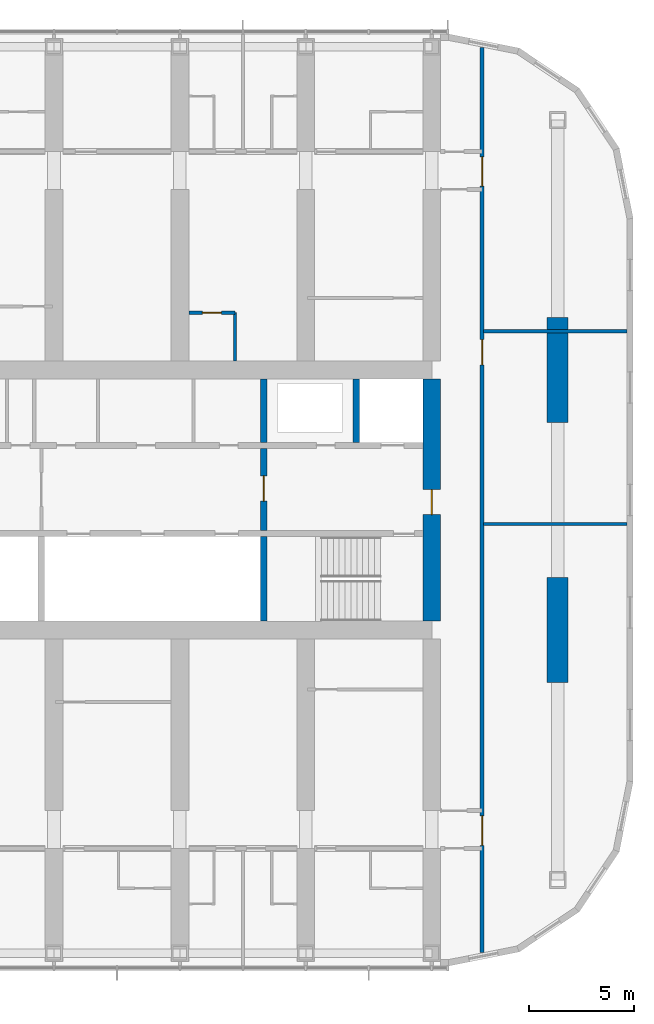
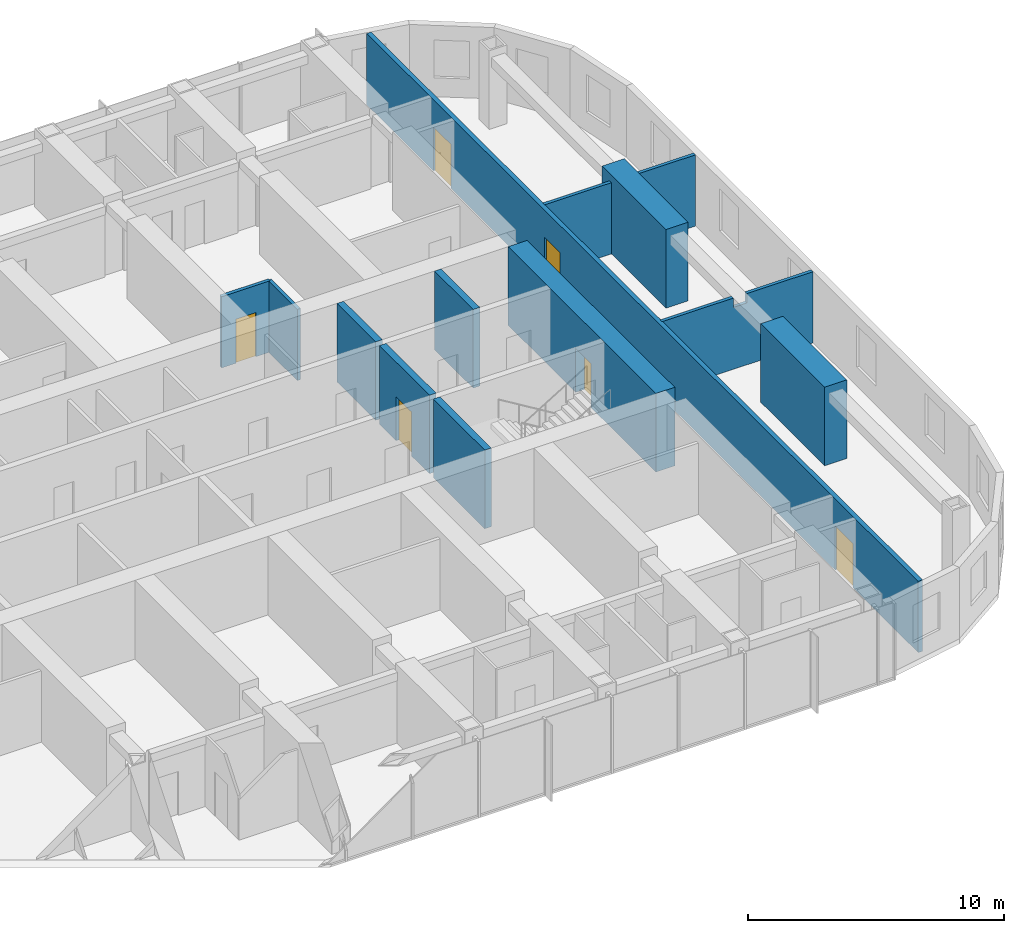
# One storey, part 14 of 22: 12 walls, 6 doors, 6 openings.
"""IFC4 building model written with IfcOpenShell, lengths in metres."""

from ifc_helpers import new_model, si_unit, direction, frame, frame_2d, origin, place, context, subcontext, project, spatial, polyline, rectangle, outline, extrude, material, layer, layer_set, type_object, element, fill, save


model = new_model("IFC4")

# Units and contexts
model_context = context("Model", 3, precision=1e-05, world=origin(), true_north=direction((0.0, 1.0)))
body_context = subcontext(model_context, "Body", "Model", "MODEL_VIEW")
ifc_project = project(units=[si_unit("LENGTHUNIT", "METRE"), si_unit("AREAUNIT", "SQUARE_METRE"), si_unit("VOLUMEUNIT", "CUBIC_METRE"), si_unit("PLANEANGLEUNIT", "RADIAN"), si_unit("MASSUNIT", "GRAM", prefix="KILO")], contexts=[model_context])

# Site, building, storey
site_placement = place(None, origin())
site = spatial("IfcSite", under=ifc_project, at=site_placement, CompositionType="ELEMENT")
building_placement = place(site_placement, origin())
building = spatial("IfcBuilding", under=site, at=building_placement, Name="Orbita Commons", CompositionType="ELEMENT")
storey_placement = place(building_placement, frame((0.0, 0.0, 197.35009765625)))
storey = spatial("IfcBuildingStorey", under=building, at=storey_placement, Name="L49", CompositionType="ELEMENT", Elevation=197.35009765625)

# Wall
ifc_material_1 = material(Name="Concrete C50/60", Category="concrete")
ifc_layer_1 = layer(ifc_material_1, 0.300048828125)
ifc_layer_set_1 = layer_set([ifc_layer_1], Name="Concrete C50/60")
wall_type_1 = type_object("IfcWallType", Name="Core inner wall 300 C50/60", PredefinedType="SHEAR", material=ifc_layer_set_1)
wall_1_placement = place(storey_placement, frame((58.0, 26.22509765625, 0.0), z_axis=(0.0, 0.0, 1.0), x_axis=(0.0, 1.0, 0.0)))
element("IfcWall", 1, at=wall_1_placement, inside=storey, type_object=wall_type_1, Name="Stair S2 wall L49", PredefinedType="SHEAR", context=body_context, shape_type="SweptSolid", body=[
    extrude(rectangle(XDim=4.02490234375, YDim=0.300048828125, at=frame_2d((2.012451171875, 0.0))), origin(), (0.0, 0.0, 1.0), 3.75),
])

# Wall, opening, door
wall_2_placement = place(storey_placement, frame((58.0, 30.550048828125, 0.0), z_axis=(0.0, 0.0, 1.0), x_axis=(0.0, 1.0, 0.0)))
wall_2 = element("IfcWall", 2, at=wall_2_placement, inside=storey, type_object=wall_type_1, Name="Firefighting lobby wall east L49", PredefinedType="SHEAR", context=body_context, shape_type="SweptSolid", body=[
    extrude(rectangle(XDim=3.89990234375, YDim=0.300048828125, at=frame_2d((1.949951171875, 0.0))), origin(), (0.0, 0.0, 1.0), 3.75),
])
opening_1_placement = place(wall_2_placement, frame((1.39990234375, 0.0, 0.0)))
opening_1 = element("IfcOpeningElement", 3, at=opening_1_placement, cuts=wall_2, Name="Opening D04", PredefinedType="OPENING", context=body_context, shape_type="SweptSolid", body=[
    extrude(rectangle(XDim=1.199951171875, YDim=2.10009765625, at=frame_2d((0.60009765625, 1.050048828125))), frame((0.0, 0.159912109375, 0.0), z_axis=(0.0, -1.0, 0.0), x_axis=(1.0, 0.0, 0.0)), (0.0, 0.0, 1.0), 0.320068359375),
])
ifc_material_2 = material(Name="Steel-faced fire door leaf", Category="steel")
door_type_1 = type_object("IfcDoorType", Name="Service door 20 min 1200x2100", OperationType="SINGLE_SWING_LEFT", PredefinedType="DOOR", material=ifc_material_2)
door_1_placement = place(opening_1_placement, origin())
door_1 = element("IfcDoor", 4, at=door_1_placement, inside=storey, type_object=door_type_1, Name="Lift lobby door east", OperationType="SINGLE_SWING_LEFT", OverallHeight=2.10009765625, OverallWidth=1.199951171875, PredefinedType="DOOR", context=body_context, shape_type="SweptSolid", body=[
    extrude(rectangle(XDim=1.199951171875, YDim=2.10009765625, at=frame_2d((0.60009765625, 1.050048828125))), frame((0.0, 0.02490234375, 0.0), z_axis=(0.0, -1.0, 0.0), x_axis=(1.0, 0.0, 0.0)), (0.0, 0.0, 1.0), 0.050048828125),
])
fill(opening_1, door_1)

# Walls
for number, where, z_axis, x_axis, name in (
    (5, (62.39990234375, 34.75, 0.0), (0.0, 0.0, 1.0), (0.0, 1.0, 0.0), "Firefighting lift FL2 shaft wall L49"),
    (6, (58.0, 34.75, 0.0), (0.0, 0.0, 1.0), (0.0, 1.0, 0.0), "Riser wall east L49"),
):
    element("IfcWall", number, at=place(storey_placement, frame(where, z_axis=z_axis, x_axis=x_axis)), inside=storey, type_object=wall_type_1, Name=name, PredefinedType="SHEAR", context=body_context, shape_type="SweptSolid", body=[
        extrude(rectangle(XDim=3.02490234375, YDim=0.300048828125, at=frame_2d((1.512451171875, 0.0))), origin(), (0.0, 0.0, 1.0), 3.75),
    ])

# Wall, opening, door
ifc_material_3 = material(Name="Concrete C50/60", Category="concrete")
ifc_layer_2 = layer(ifc_material_3, 0.85009765625)
ifc_layer_set_2 = layer_set([ifc_layer_2], Name="Concrete C50/60")
wall_type_2 = type_object("IfcWallType", Name="Core wall 850 C50/60", PredefinedType="SHEAR", material=ifc_layer_set_2)
wall_3_placement = place(storey_placement, frame((66.0, 26.22509765625, 0.0), z_axis=(0.0, 0.0, 1.0), x_axis=(0.0, 1.0, 0.0)))
wall_3 = element("IfcWall", 7, at=wall_3_placement, inside=storey, type_object=wall_type_2, Name="Core end wall east L49", PredefinedType="SHEAR", context=body_context, shape_type="SweptSolid", body=[
    extrude(rectangle(XDim=11.5498046875, YDim=0.85009765625, at=frame_2d((5.77490234375, 0.0))), origin(), (0.0, 0.0, 1.0), 3.75),
])
opening_2_placement = place(wall_3_placement, frame((5.074951171875, 0.0, 0.0)))
opening_2 = element("IfcOpeningElement", 8, at=opening_2_placement, cuts=wall_3, Name="Opening D01", PredefinedType="OPENING", context=body_context, shape_type="SweptSolid", body=[
    extrude(rectangle(XDim=1.199951171875, YDim=2.10009765625, at=frame_2d((0.60009765625, 1.050048828125))), frame((0.0, 0.43505859375, 0.0), z_axis=(0.0, -1.0, 0.0), x_axis=(1.0, 0.0, 0.0)), (0.0, 0.0, 1.0), 0.8701171875),
])
ifc_material_4 = material(Name="Steel-faced fire door leaf", Category="steel")
door_type_2 = type_object("IfcDoorType", Name="Fire door 90 min 1200x2100", OperationType="SINGLE_SWING_LEFT", PredefinedType="DOOR", material=ifc_material_4)
door_2_placement = place(opening_2_placement, origin())
door_2 = element("IfcDoor", 9, at=door_2_placement, inside=storey, type_object=door_type_2, Name="Firefighting lobby east door", OperationType="SINGLE_SWING_LEFT", OverallHeight=2.10009765625, OverallWidth=1.199951171875, PredefinedType="DOOR", context=body_context, shape_type="SweptSolid", body=[
    extrude(rectangle(XDim=1.199951171875, YDim=2.10009765625, at=frame_2d((0.60009765625, 1.050048828125))), frame((0.0, 0.02490234375, 0.0), z_axis=(0.0, -1.0, 0.0), x_axis=(1.0, 0.0, 0.0)), (0.0, 0.0, 1.0), 0.050048828125),
])
fill(opening_2, door_2)

# Wall, openings, doors
ifc_material_5 = material(Name="Concrete blockwork", Category="masonry")
ifc_layer_3 = layer(ifc_material_5, 0.199951171875)
ifc_layer_set_3 = layer_set([ifc_layer_3], Name="Concrete blockwork")
wall_type_3 = type_object("IfcWallType", Name="Corridor wall 200 blockwork", PredefinedType="SOLIDWALL", material=ifc_layer_set_3)
wall_4_placement = place(storey_placement, frame((68.39990234375, 10.4462890625, 0.0), z_axis=(0.0, 0.0, 1.0), x_axis=(0.0, 1.0, 0.0)))
wall_4 = element("IfcWall", 10, at=wall_4_placement, inside=storey, type_object=wall_type_3, Name="Corridor wall 200 blockwork L49", PredefinedType="SOLIDWALL", context=body_context, shape_type="SweptSolid", body=[
    extrude(rectangle(XDim=43.107421875, YDim=0.199951171875, at=frame_2d((21.5537109375, 0.0))), origin(), (0.0, 0.0, 1.0), 3.39990234375),
])
opening_3_placement = place(wall_4_placement, frame((27.993896484375, 0.0, 0.0)))
opening_3 = element("IfcOpeningElement", 11, at=opening_3_placement, cuts=wall_4, Name="Opening D15", PredefinedType="OPENING", context=body_context, shape_type="SweptSolid", body=[
    extrude(rectangle(XDim=1.199951171875, YDim=2.10009765625, at=frame_2d((0.60009765625, 1.050048828125))), frame((0.0, 0.10986328125, 0.0), z_axis=(0.0, -1.0, 0.0), x_axis=(1.0, 0.0, 0.0)), (0.0, 0.0, 1.0), 0.219970703125),
])
opening_4_placement = place(wall_4_placement, frame((5.103759765625, 0.0, 0.0)))
opening_4 = element("IfcOpeningElement", 12, at=opening_4_placement, cuts=wall_4, Name="Opening D08", PredefinedType="OPENING", context=body_context, shape_type="SweptSolid", body=[
    extrude(rectangle(XDim=1.39990234375, YDim=2.10009765625, at=frame_2d((0.699951171875, 1.050048828125))), frame((0.0, 0.10986328125, 0.0), z_axis=(0.0, -1.0, 0.0), x_axis=(1.0, 0.0, 0.0)), (0.0, 0.0, 1.0), 0.219970703125),
])
opening_5_placement = place(wall_4_placement, frame((36.50390625, 0.0, 0.0)))
opening_5 = element("IfcOpeningElement", 13, at=opening_5_placement, cuts=wall_4, Name="Opening D08", PredefinedType="OPENING", context=body_context, shape_type="SweptSolid", body=[
    extrude(rectangle(XDim=1.39990234375, YDim=2.10009765625, at=frame_2d((0.699951171875, 1.050048828125))), frame((0.0, 0.10986328125, 0.0), z_axis=(0.0, -1.0, 0.0), x_axis=(1.0, 0.0, 0.0)), (0.0, 0.0, 1.0), 0.219970703125),
])
ifc_material_6 = material(Name="Steel-faced fire door leaf", Category="steel")
door_type_3 = type_object("IfcDoorType", Name="Corridor door 20 min 1200x2100", OperationType="SINGLE_SWING_LEFT", PredefinedType="DOOR", material=ifc_material_6)
door_3_placement = place(opening_3_placement, origin())
door_3 = element("IfcDoor", 14, at=door_3_placement, inside=storey, type_object=door_type_3, Name="Study hall door", OperationType="SINGLE_SWING_LEFT", OverallHeight=2.10009765625, OverallWidth=1.199951171875, PredefinedType="DOOR", context=body_context, shape_type="SweptSolid", body=[
    extrude(rectangle(XDim=1.199951171875, YDim=2.10009765625, at=frame_2d((0.60009765625, 1.050048828125))), frame((0.0, 0.02490234375, 0.0), z_axis=(0.0, -1.0, 0.0), x_axis=(1.0, 0.0, 0.0)), (0.0, 0.0, 1.0), 0.050048828125),
])
fill(opening_3, door_3)
ifc_material_7 = material(Name="Steel-faced fire door leaf", Category="steel")
door_type_4 = type_object("IfcDoorType", Name="Double corridor door 20 min 1400x2100", OperationType="DOUBLE_DOOR_SINGLE_SWING", PredefinedType="DOOR", material=ifc_material_7)
door_4_placement = place(opening_4_placement, origin())
door_4 = element("IfcDoor", 15, at=door_4_placement, inside=storey, type_object=door_type_4, Name="Lounge doors", OperationType="DOUBLE_DOOR_SINGLE_SWING", OverallHeight=2.10009765625, OverallWidth=1.39990234375, PredefinedType="DOOR", context=body_context, shape_type="SweptSolid", body=[
    extrude(rectangle(XDim=1.39990234375, YDim=2.10009765625, at=frame_2d((0.699951171875, 1.050048828125))), frame((0.0, 0.02490234375, 0.0), z_axis=(0.0, -1.0, 0.0), x_axis=(1.0, 0.0, 0.0)), (0.0, 0.0, 1.0), 0.050048828125),
])
fill(opening_4, door_4)
door_5_placement = place(opening_5_placement, origin())
door_5 = element("IfcDoor", 16, at=door_5_placement, inside=storey, type_object=door_type_4, Name="Lounge doors", OperationType="DOUBLE_DOOR_SINGLE_SWING", OverallHeight=2.10009765625, OverallWidth=1.39990234375, PredefinedType="DOOR", context=body_context, shape_type="SweptSolid", body=[
    extrude(rectangle(XDim=1.39990234375, YDim=2.10009765625, at=frame_2d((0.699951171875, 1.050048828125))), frame((0.0, 0.02490234375, 0.0), z_axis=(0.0, -1.0, 0.0), x_axis=(1.0, 0.0, 0.0)), (0.0, 0.0, 1.0), 0.050048828125),
])
fill(opening_5, door_5)

# Walls
ifc_material_8 = material(Name="Concrete C50/60", Category="concrete")
ifc_layer_4 = layer(ifc_material_8, 1.0)
ifc_layer_set_4 = layer_set([ifc_layer_4], Name="Concrete C50/60")
wall_type_4 = type_object("IfcWallType", Name="End pier 1000x5000 C50/60", PredefinedType="SHEAR", material=ifc_layer_set_4)
for number, where, z_axis, x_axis, name in (
    (17, (72.0, 23.300048828125, 0.0), (0.0, 0.0, 1.0), (0.0, 1.0, 0.0), "End pier 13/C L49"),
    (18, (72.0, 35.699951171875, 0.0), (0.0, 0.0, 1.0), (0.0, 1.0, 0.0), "End pier 13/D L49"),
):
    element("IfcWall", number, at=place(storey_placement, frame(where, z_axis=z_axis, x_axis=x_axis)), inside=storey, type_object=wall_type_4, Name=name, PredefinedType="SHEAR", context=body_context, shape_type="SweptSolid", body=[
        extrude(rectangle(XDim=5.0, YDim=1.0, at=frame_2d((2.5, 0.0))), origin(), (0.0, 0.0, 1.0), 3.75),
    ])
ifc_material_9 = material(Name="Gypsum plasterboard on steel studs", Category="steel")
ifc_layer_5 = layer(ifc_material_9, 0.14990234375)
ifc_layer_set_5 = layer_set([ifc_layer_5], Name="Gypsum plasterboard on steel studs")
wall_type_5 = type_object("IfcWallType", Name="Partition 150 plasterboard", PredefinedType="PARTITIONING", material=ifc_layer_set_5)
wall_5_placement = place(storey_placement, frame((56.625, 40.925048828125, 0.0), z_axis=(0.0, 0.0, 1.0), x_axis=(0.0, -1.0, 0.0)))
element("IfcWall", 19, at=wall_5_placement, inside=storey, type_object=wall_type_5, Name="Partition 150 plasterboard L49", PredefinedType="PARTITIONING", context=body_context, shape_type="SweptSolid", body=[
    extrude(rectangle(XDim=2.300048828125, YDim=0.14990234375, at=frame_2d((1.14990234375, 0.0))), origin(), (0.0, 0.0, 1.0), 3.39990234375),
])

# Wall, opening, door
wall_6_placement = place(storey_placement, frame((56.625, 40.925048828125, 0.0), z_axis=(0.0, 0.0, 1.0), x_axis=(-1.0, 0.0, 0.0)))
wall_6 = element("IfcWall", 20, at=wall_6_placement, inside=storey, type_object=wall_type_5, Name="Partition 150 plasterboard L49", PredefinedType="PARTITIONING", context=body_context, shape_type="SweptSolid", body=[
    extrude(rectangle(XDim=2.199951171875, YDim=0.14990234375, at=frame_2d((1.10009765625, 0.0))), origin(), (0.0, 0.0, 1.0), 3.39990234375),
])
opening_6_placement = place(wall_6_placement, frame((0.64990234375, 0.0, 0.0)))
opening_6 = element("IfcOpeningElement", 21, at=opening_6_placement, cuts=wall_6, Name="Opening D05", PredefinedType="OPENING", context=body_context, shape_type="SweptSolid", body=[
    extrude(rectangle(XDim=0.89990234375, YDim=2.10009765625, at=frame_2d((0.449951171875, 1.050048828125))), frame((0.0, 0.0849609375, 0.0), z_axis=(0.0, -1.0, 0.0), x_axis=(1.0, 0.0, 0.0)), (0.0, 0.0, 1.0), 0.169921875),
])
ifc_material_10 = material(Name="Steel-faced fire door leaf", Category="steel")
door_type_5 = type_object("IfcDoorType", Name="Service door 20 min 900x2100", OperationType="SINGLE_SWING_LEFT", PredefinedType="DOOR", material=ifc_material_10)
door_6_placement = place(opening_6_placement, origin())
door_6 = element("IfcDoor", 22, at=door_6_placement, inside=storey, type_object=door_type_5, Name="Accessible WC L49-BDN54 door", OperationType="SINGLE_SWING_LEFT", OverallHeight=2.10009765625, OverallWidth=0.89990234375, PredefinedType="DOOR", context=body_context, shape_type="SweptSolid", body=[
    extrude(rectangle(XDim=0.89990234375, YDim=2.10009765625, at=frame_2d((0.449951171875, 1.050048828125))), frame((0.0, 0.02490234375, 0.0), z_axis=(0.0, -1.0, 0.0), x_axis=(1.0, 0.0, 0.0)), (0.0, 0.0, 1.0), 0.050048828125),
])
fill(opening_6, door_6)

# Walls
wall_7_placement = place(storey_placement, frame((68.47509765625, 30.85009765625, 0.0), z_axis=(0.0, 0.0, 1.0), x_axis=(1.0, 0.0, 0.0)))
element("IfcWall", 23, at=wall_7_placement, inside=storey, type_object=wall_type_5, Name="Partition 150 plasterboard L49", PredefinedType="PARTITIONING", context=body_context, shape_type="SweptSolid", body=[
    extrude(outline(polyline([(0.0, 0.0), (6.81982421875, 0.0), (6.820068359375, 3.39990234375), (3.826904296875, 3.39990234375), (3.824951171875, 2.949951171875), (3.22705078125, 2.949951171875), (3.22509765625, 3.39990234375), (0.0, 3.39990234375), (0.0, 0.0)])), frame((0.0, 0.074951171875, 0.0), z_axis=(0.0, -1.0, 0.0), x_axis=(1.0, 0.0, 0.0)), (0.0, 0.0, 1.0), 0.14990234375),
])
wall_8_placement = place(storey_placement, frame((68.47509765625, 40.0400390625, 0.0), z_axis=(0.0, 0.0, 1.0), x_axis=(1.0, 0.0, 0.0)))
element("IfcWall", 24, at=wall_8_placement, inside=storey, type_object=wall_type_5, Name="Partition 150 plasterboard L49", PredefinedType="PARTITIONING", context=body_context, shape_type="SweptSolid", body=[
    extrude(rectangle(XDim=6.81982421875, YDim=0.14990234375, at=frame_2d((3.409912109375, 0.0))), origin(), (0.0, 0.0, 1.0), 3.39990234375),
])

save(model, "model.ifc")
